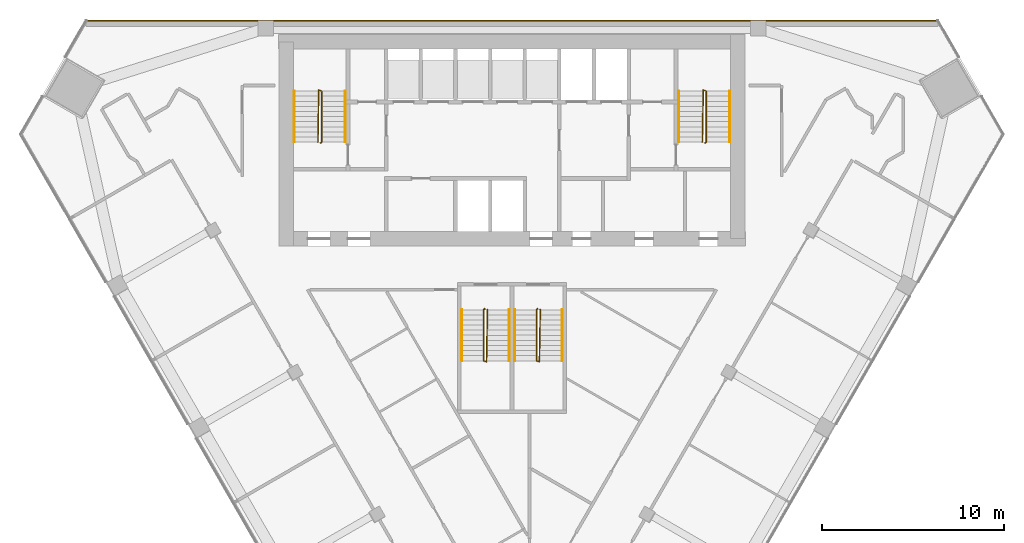
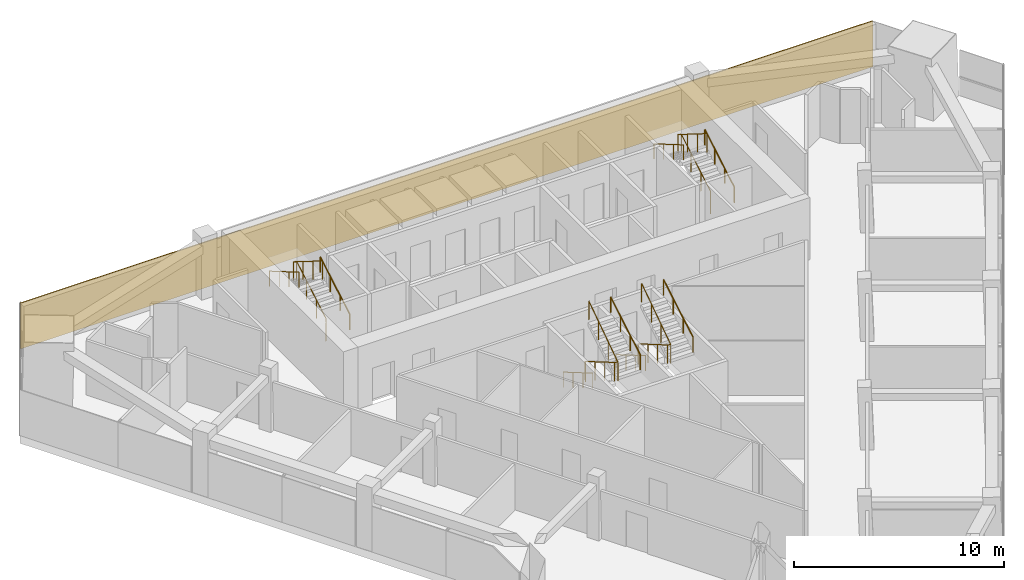
# One storey, part 12 of 13: 12 railings, 1 covering.
"""IFC4 building model written with IfcOpenShell, lengths in metres."""

from ifc_helpers import new_model, si_unit, direction, frame, frame_2d, origin, origin_2d, place, context, subcontext, project, spatial, rectangle, circle, extrude, material, layer, layer_set, type_object, element, save


model = new_model("IFC4")

# Units and contexts
model_context = context("Model", 3, precision=1e-05, world=origin(), true_north=direction((0.0, 1.0)))
body_context = subcontext(model_context, "Body", "Model", "MODEL_VIEW")
ifc_project = project(units=[si_unit("LENGTHUNIT", "METRE"), si_unit("AREAUNIT", "SQUARE_METRE"), si_unit("VOLUMEUNIT", "CUBIC_METRE"), si_unit("PLANEANGLEUNIT", "RADIAN"), si_unit("MASSUNIT", "GRAM", prefix="KILO")], contexts=[model_context])

# Site, building, storey
site_placement = place(None, origin())
site = spatial("IfcSite", under=ifc_project, at=site_placement, CompositionType="ELEMENT")
building_placement = place(site_placement, origin())
building = spatial("IfcBuilding", under=site, at=building_placement, Name="Altiplano Prism Tower", CompositionType="ELEMENT")
storey_placement = place(building_placement, frame((0.0, 0.0, 156.60009765625)))
storey = spatial("IfcBuildingStorey", under=building, at=storey_placement, Name="L40", CompositionType="ELEMENT", Elevation=156.60009765625)

# Railings
ifc_material_1 = material(Name="Steel S355", Category="steel")
railing_type_1 = type_object("IfcRailingType", Name="Stair guard 1100", PredefinedType="GUARDRAIL", material=ifc_material_1)
railing_1_placement = place(storey_placement, frame((74.5, 98.25, 0.0)))
element("IfcRailing", 1, at=railing_1_placement, inside=storey, type_object=railing_type_1, Name="L40 ST1 stair guard 1", PredefinedType="GUARDRAIL", context=body_context, shape_type="SweptSolid", body=[
    extrude(circle(Radius=0.02392578125, at=origin_2d()), frame((0.0, 0.0, 1.076171875), z_axis=(0.280808744504, 0.280808744504, 0.917765164963), x_axis=(-0.707106781187, 0.707106781187, 0.0)), (0.0, 0.0, 1.0), 0.17822265625),
    extrude(circle(Radius=0.02392578125, at=origin_2d()), frame((0.050048828125, 0.050048828125, 1.23974609375), z_axis=(0.0, 0.863393664356, 0.504530851732), x_axis=(-1.0, 0.0, 0.0)), (0.0, 0.0, 1.0), 3.2431640625),
    extrude(circle(Radius=0.02392578125, at=origin_2d()), frame((0.050048828125, 2.85009765625, 2.8759765625), z_axis=(-0.949145278916, 0.314838433982, 0.0), x_axis=(-0.314838433982, -0.949145278916, 0.0)), (0.0, 0.0, 1.0), 0.158203125),
    extrude(circle(Radius=0.02392578125, at=origin_2d()), frame((-0.10009765625, 2.89990234375, 2.8759765625), z_axis=(-0.01477401265, -0.845377694409, 0.533964682676), x_axis=(0.999847325713, -0.01747355902, 0.0)), (0.0, 0.0, 1.0), 3.37109375),
    extrude(circle(Radius=0.02099609375, at=origin_2d()), origin(), (0.0, 0.0, 1.0), 1.052001953125),
    extrude(circle(Radius=0.02099609375, at=origin_2d()), frame((0.050048828125, 0.050048828125, 0.16357421875)), (0.0, 0.0, 1.0), 1.052001953125),
    extrude(circle(Radius=0.02099609375, at=origin_2d()), frame((0.050048828125, 0.9833984375, 0.708984375)), (0.0, 0.0, 1.0), 1.052001953125),
    extrude(circle(Radius=0.02099609375, at=origin_2d()), frame((0.050048828125, 1.916748046875, 1.25439453125)), (0.0, 0.0, 1.0), 1.052001953125),
    extrude(circle(Radius=0.02099609375, at=origin_2d()), frame((0.050048828125, 2.85009765625, 1.7998046875)), (0.0, 0.0, 1.0), 1.052001953125),
    extrude(circle(Radius=0.02099609375, at=origin_2d()), frame((-0.10009765625, 2.89990234375, 1.7998046875)), (0.0, 0.0, 1.0), 1.052001953125),
    extrude(circle(Radius=0.02099609375, at=origin_2d()), frame((-0.11669921875, 1.949951171875, 2.39990234375)), (0.0, 0.0, 1.0), 1.052001953125),
    extrude(circle(Radius=0.02099609375, at=origin_2d()), frame((-0.13330078125, 1.0, 2.999755859375)), (0.0, 0.0, 1.0), 1.052001953125),
    extrude(circle(Radius=0.02099609375, at=origin_2d()), frame((-0.14990234375, 0.050048828125, 3.599853515625)), (0.0, 0.0, 1.0), 1.052001953125),
])
railing_2_placement = place(storey_placement, frame((95.60009765625, 98.25, 0.0)))
element("IfcRailing", 2, at=railing_2_placement, inside=storey, type_object=railing_type_1, Name="L40 ST2 stair guard 1", PredefinedType="GUARDRAIL", context=body_context, shape_type="SweptSolid", body=[
    extrude(circle(Radius=0.02392578125, at=origin_2d()), frame((0.0, 0.0, 1.076171875), z_axis=(0.279546231943, 0.280916556609, 0.91811752648), x_axis=(-0.708833529934, 0.705375805398, 0.0)), (0.0, 0.0, 1.0), 0.17822265625),
    extrude(circle(Radius=0.02392578125, at=origin_2d()), frame((0.0498046875, 0.050048828125, 1.23974609375), z_axis=(0.0, 0.863393664356, 0.504530851732), x_axis=(-1.0, 0.0, 0.0)), (0.0, 0.0, 1.0), 3.2431640625),
    extrude(circle(Radius=0.02392578125, at=origin_2d()), frame((0.0498046875, 2.85009765625, 2.8759765625), z_axis=(-0.948991962702, 0.315300261223, 0.0), x_axis=(-0.315300261223, -0.948991962702, 0.0)), (0.0, 0.0, 1.0), 0.157958984375),
    extrude(circle(Radius=0.02392578125, at=origin_2d()), frame((-0.10009765625, 2.89990234375, 2.8759765625), z_axis=(-0.014846418356, -0.845376787675, 0.533964109957), x_axis=(0.999845825584, -0.017559187376, 0.0)), (0.0, 0.0, 1.0), 3.37109375),
    extrude(circle(Radius=0.02099609375, at=origin_2d()), origin(), (0.0, 0.0, 1.0), 1.052001953125),
    extrude(circle(Radius=0.02099609375, at=origin_2d()), frame((0.0498046875, 0.050048828125, 0.16357421875)), (0.0, 0.0, 1.0), 1.052001953125),
    extrude(circle(Radius=0.02099609375, at=origin_2d()), frame((0.0498046875, 0.9833984375, 0.708984375)), (0.0, 0.0, 1.0), 1.052001953125),
    extrude(circle(Radius=0.02099609375, at=origin_2d()), frame((0.0498046875, 1.916748046875, 1.25439453125)), (0.0, 0.0, 1.0), 1.052001953125),
    extrude(circle(Radius=0.02099609375, at=origin_2d()), frame((0.0498046875, 2.85009765625, 1.7998046875)), (0.0, 0.0, 1.0), 1.052001953125),
    extrude(circle(Radius=0.02099609375, at=origin_2d()), frame((-0.10009765625, 2.89990234375, 1.7998046875)), (0.0, 0.0, 1.0), 1.052001953125),
    extrude(circle(Radius=0.02099609375, at=origin_2d()), frame((-0.11669921875, 1.949951171875, 2.39990234375)), (0.0, 0.0, 1.0), 1.052001953125),
    extrude(circle(Radius=0.02099609375, at=origin_2d()), frame((-0.133544921875, 1.0, 2.999755859375)), (0.0, 0.0, 1.0), 1.052001953125),
    extrude(circle(Radius=0.02099609375, at=origin_2d()), frame((-0.150146484375, 0.050048828125, 3.599853515625)), (0.0, 0.0, 1.0), 1.052001953125),
])
railing_3_placement = place(storey_placement, frame((83.5, 89.14990234375, 0.0)))
element("IfcRailing", 3, at=railing_3_placement, inside=storey, type_object=railing_type_1, Name="L40 ST3A stair guard 1", PredefinedType="GUARDRAIL", context=body_context, shape_type="SweptSolid", body=[
    extrude(circle(Radius=0.02392578125, at=origin_2d()), frame((0.0, 0.0, 1.076171875), z_axis=(-0.280916556609, -0.279546231943, 0.91811752648), x_axis=(0.705375805398, -0.708833529934, 0.0)), (0.0, 0.0, 1.0), 0.17822265625),
    extrude(circle(Radius=0.02392578125, at=origin_2d()), frame((-0.050048828125, -0.0498046875, 1.23974609375), z_axis=(0.0, -0.863393664356, 0.504530851732), x_axis=(1.0, 0.0, 0.0)), (0.0, 0.0, 1.0), 3.2431640625),
    extrude(circle(Radius=0.02392578125, at=origin_2d()), frame((-0.050048828125, -2.849853515625, 2.8759765625), z_axis=(0.948683298051, -0.316227766017, 0.0), x_axis=(0.316227766017, 0.948683298051, 0.0)), (0.0, 0.0, 1.0), 0.158203125),
    extrude(circle(Radius=0.02392578125, at=origin_2d()), frame((0.10009765625, -2.89990234375, 2.8759765625), z_axis=(0.014773108175, 0.84539835705, 0.533931993021), x_axis=(-0.999847351862, 0.017472062685, 0.0)), (0.0, 0.0, 1.0), 3.371337890625),
    extrude(circle(Radius=0.02099609375, at=origin_2d()), origin(), (0.0, 0.0, 1.0), 1.052001953125),
    extrude(circle(Radius=0.02099609375, at=origin_2d()), frame((-0.050048828125, -0.0498046875, 0.16357421875)), (0.0, 0.0, 1.0), 1.052001953125),
    extrude(circle(Radius=0.02099609375, at=origin_2d()), frame((-0.050048828125, -0.983154296875, 0.708984375)), (0.0, 0.0, 1.0), 1.052001953125),
    extrude(circle(Radius=0.02099609375, at=origin_2d()), frame((-0.050048828125, -1.91650390625, 1.25439453125)), (0.0, 0.0, 1.0), 1.052001953125),
    extrude(circle(Radius=0.02099609375, at=origin_2d()), frame((-0.050048828125, -2.849853515625, 1.7998046875)), (0.0, 0.0, 1.0), 1.052001953125),
    extrude(circle(Radius=0.02099609375, at=origin_2d()), frame((0.10009765625, -2.89990234375, 1.7998046875)), (0.0, 0.0, 1.0), 1.052001953125),
    extrude(circle(Radius=0.02099609375, at=origin_2d()), frame((0.11669921875, -1.949951171875, 2.39990234375)), (0.0, 0.0, 1.0), 1.052001953125),
    extrude(circle(Radius=0.02099609375, at=origin_2d()), frame((0.13330078125, -0.999755859375, 2.999755859375)), (0.0, 0.0, 1.0), 1.052001953125),
    extrude(circle(Radius=0.02099609375, at=origin_2d()), frame((0.14990234375, -0.0498046875, 3.599853515625)), (0.0, 0.0, 1.0), 1.052001953125),
])
railing_4_placement = place(storey_placement, frame((86.39990234375, 89.14990234375, 0.0)))
element("IfcRailing", 4, at=railing_4_placement, inside=storey, type_object=railing_type_1, Name="L40 ST3B stair guard 1", PredefinedType="GUARDRAIL", context=body_context, shape_type="SweptSolid", body=[
    extrude(circle(Radius=0.02392578125, at=origin_2d()), frame((0.0, 0.0, 1.076171875), z_axis=(-0.279653641804, -0.279653641804, 0.918470294159), x_axis=(0.707106781187, -0.707106781187, 0.0)), (0.0, 0.0, 1.0), 0.177978515625),
    extrude(circle(Radius=0.02392578125, at=origin_2d()), frame((-0.0498046875, -0.0498046875, 1.23974609375), z_axis=(0.0, -0.863393664356, 0.504530851732), x_axis=(1.0, 0.0, 0.0)), (0.0, 0.0, 1.0), 3.2431640625),
    extrude(circle(Radius=0.02392578125, at=origin_2d()), frame((-0.0498046875, -2.849853515625, 2.8759765625), z_axis=(0.948528701346, -0.316691178788, 0.0), x_axis=(0.316691178788, 0.948528701346, 0.0)), (0.0, 0.0, 1.0), 0.157958984375),
    extrude(circle(Radius=0.02392578125, at=origin_2d()), frame((0.10009765625, -2.89990234375, 2.8759765625), z_axis=(0.014845509451, 0.845397450405, 0.533931420407), x_axis=(-0.999845851991, 0.017557683712, 0.0)), (0.0, 0.0, 1.0), 3.371337890625),
    extrude(circle(Radius=0.02099609375, at=origin_2d()), origin(), (0.0, 0.0, 1.0), 1.052001953125),
    extrude(circle(Radius=0.02099609375, at=origin_2d()), frame((-0.0498046875, -0.0498046875, 0.16357421875)), (0.0, 0.0, 1.0), 1.052001953125),
    extrude(circle(Radius=0.02099609375, at=origin_2d()), frame((-0.0498046875, -0.983154296875, 0.708984375)), (0.0, 0.0, 1.0), 1.052001953125),
    extrude(circle(Radius=0.02099609375, at=origin_2d()), frame((-0.0498046875, -1.91650390625, 1.25439453125)), (0.0, 0.0, 1.0), 1.052001953125),
    extrude(circle(Radius=0.02099609375, at=origin_2d()), frame((-0.0498046875, -2.849853515625, 1.7998046875)), (0.0, 0.0, 1.0), 1.052001953125),
    extrude(circle(Radius=0.02099609375, at=origin_2d()), frame((0.10009765625, -2.89990234375, 1.7998046875)), (0.0, 0.0, 1.0), 1.052001953125),
    extrude(circle(Radius=0.02099609375, at=origin_2d()), frame((0.11669921875, -1.949951171875, 2.39990234375)), (0.0, 0.0, 1.0), 1.052001953125),
    extrude(circle(Radius=0.02099609375, at=origin_2d()), frame((0.133544921875, -0.999755859375, 2.999755859375)), (0.0, 0.0, 1.0), 1.052001953125),
    extrude(circle(Radius=0.02099609375, at=origin_2d()), frame((0.150146484375, -0.0498046875, 3.599853515625)), (0.0, 0.0, 1.0), 1.052001953125),
])
railing_type_2 = type_object("IfcRailingType", Name="Stair handrail 900", PredefinedType="HANDRAIL", material=ifc_material_1)
railing_5_placement = place(storey_placement, frame((75.85009765625, 98.300048828125, 0.16357421875)))
element("IfcRailing", 5, at=railing_5_placement, inside=storey, type_object=railing_type_2, Name="L40 ST1 stair handrail 1", PredefinedType="HANDRAIL", context=body_context, shape_type="SweptSolid", body=[
    extrude(circle(Radius=0.02392578125, at=origin_2d()), frame((0.0, 0.0, 0.8759765625), z_axis=(0.0, 0.863393664356, 0.504530851732), x_axis=(-1.0, 0.0, 0.0)), (0.0, 0.0, 1.0), 3.2431640625),
    extrude(circle(Radius=0.02099609375, at=origin_2d()), origin(), (0.0, 0.0, 1.0), 0.851806640625),
    extrude(circle(Radius=0.02099609375, at=origin_2d()), frame((0.0, 0.933349609375, 0.54541015625)), (0.0, 0.0, 1.0), 0.851806640625),
    extrude(circle(Radius=0.02099609375, at=origin_2d()), frame((0.0, 1.86669921875, 1.0908203125)), (0.0, 0.0, 1.0), 0.851806640625),
    extrude(circle(Radius=0.02099609375, at=origin_2d()), frame((0.0, 2.800048828125, 1.63623046875)), (0.0, 0.0, 1.0), 0.851806640625),
])
railing_6_placement = place(storey_placement, frame((73.050048828125, 101.10009765625, 1.963623046875)))
element("IfcRailing", 6, at=railing_6_placement, inside=storey, type_object=railing_type_2, Name="L40 ST1 stair handrail 2", PredefinedType="HANDRAIL", context=body_context, shape_type="SweptSolid", body=[
    extrude(circle(Radius=0.02392578125, at=origin_2d()), frame((0.0, 0.0, 0.8759765625), z_axis=(0.0, -0.863393664356, 0.504530851732), x_axis=(1.0, 0.0, 0.0)), (0.0, 0.0, 1.0), 3.2431640625),
    extrude(circle(Radius=0.02099609375, at=origin_2d()), origin(), (0.0, 0.0, 1.0), 0.851806640625),
    extrude(circle(Radius=0.02099609375, at=origin_2d()), frame((0.0, -0.933349609375, 0.54541015625)), (0.0, 0.0, 1.0), 0.851806640625),
    extrude(circle(Radius=0.02099609375, at=origin_2d()), frame((0.0, -1.86669921875, 1.0908203125)), (0.0, 0.0, 1.0), 0.851806640625),
    extrude(circle(Radius=0.02099609375, at=origin_2d()), frame((0.0, -2.800048828125, 1.63623046875)), (0.0, 0.0, 1.0), 0.851806640625),
])
railing_7_placement = place(storey_placement, frame((96.949951171875, 98.300048828125, 0.16357421875)))
element("IfcRailing", 7, at=railing_7_placement, inside=storey, type_object=railing_type_2, Name="L40 ST2 stair handrail 1", PredefinedType="HANDRAIL", context=body_context, shape_type="SweptSolid", body=[
    extrude(circle(Radius=0.02392578125, at=origin_2d()), frame((0.0, 0.0, 0.8759765625), z_axis=(0.0, 0.863393664356, 0.504530851732), x_axis=(-1.0, 0.0, 0.0)), (0.0, 0.0, 1.0), 3.2431640625),
    extrude(circle(Radius=0.02099609375, at=origin_2d()), origin(), (0.0, 0.0, 1.0), 0.851806640625),
    extrude(circle(Radius=0.02099609375, at=origin_2d()), frame((0.0, 0.933349609375, 0.54541015625)), (0.0, 0.0, 1.0), 0.851806640625),
    extrude(circle(Radius=0.02099609375, at=origin_2d()), frame((0.0, 1.86669921875, 1.0908203125)), (0.0, 0.0, 1.0), 0.851806640625),
    extrude(circle(Radius=0.02099609375, at=origin_2d()), frame((0.0, 2.800048828125, 1.63623046875)), (0.0, 0.0, 1.0), 0.851806640625),
])
for number, where, name in (
    (8, (94.14990234375, 101.10009765625, 1.963623046875), "L40 ST2 stair handrail 2"),
    (9, (82.25, 89.10009765625, 0.16357421875), "L40 ST3A stair handrail 1"),
):
    element("IfcRailing", number, at=place(storey_placement, frame(where)), inside=storey, type_object=railing_type_2, Name=name, PredefinedType="HANDRAIL", context=body_context, shape_type="SweptSolid", body=[
        extrude(circle(Radius=0.02392578125, at=origin_2d()), frame((0.0, 0.0, 0.8759765625), z_axis=(0.0, -0.863393664356, 0.504530851732), x_axis=(1.0, 0.0, 0.0)), (0.0, 0.0, 1.0), 3.2431640625),
        extrude(circle(Radius=0.02099609375, at=origin_2d()), origin(), (0.0, 0.0, 1.0), 0.851806640625),
        extrude(circle(Radius=0.02099609375, at=origin_2d()), frame((0.0, -0.933349609375, 0.54541015625)), (0.0, 0.0, 1.0), 0.851806640625),
        extrude(circle(Radius=0.02099609375, at=origin_2d()), frame((0.0, -1.86669921875, 1.0908203125)), (0.0, 0.0, 1.0), 0.851806640625),
        extrude(circle(Radius=0.02099609375, at=origin_2d()), frame((0.0, -2.800048828125, 1.63623046875)), (0.0, 0.0, 1.0), 0.851806640625),
    ])
railing_8_placement = place(storey_placement, frame((84.85009765625, 86.300048828125, 1.963623046875)))
element("IfcRailing", 10, at=railing_8_placement, inside=storey, type_object=railing_type_2, Name="L40 ST3A stair handrail 2", PredefinedType="HANDRAIL", context=body_context, shape_type="SweptSolid", body=[
    extrude(circle(Radius=0.02392578125, at=origin_2d()), frame((0.0, 0.0, 0.8759765625), z_axis=(0.0, 0.863393664356, 0.504530851732), x_axis=(-1.0, 0.0, 0.0)), (0.0, 0.0, 1.0), 3.2431640625),
    extrude(circle(Radius=0.02099609375, at=origin_2d()), origin(), (0.0, 0.0, 1.0), 0.851806640625),
    extrude(circle(Radius=0.02099609375, at=origin_2d()), frame((0.0, 0.933349609375, 0.54541015625)), (0.0, 0.0, 1.0), 0.851806640625),
    extrude(circle(Radius=0.02099609375, at=origin_2d()), frame((0.0, 1.86669921875, 1.0908203125)), (0.0, 0.0, 1.0), 0.851806640625),
    extrude(circle(Radius=0.02099609375, at=origin_2d()), frame((0.0, 2.800048828125, 1.63623046875)), (0.0, 0.0, 1.0), 0.851806640625),
])
railing_9_placement = place(storey_placement, frame((85.14990234375, 89.10009765625, 0.16357421875)))
element("IfcRailing", 11, at=railing_9_placement, inside=storey, type_object=railing_type_2, Name="L40 ST3B stair handrail 1", PredefinedType="HANDRAIL", context=body_context, shape_type="SweptSolid", body=[
    extrude(circle(Radius=0.02392578125, at=origin_2d()), frame((0.0, 0.0, 0.8759765625), z_axis=(0.0, -0.863393664356, 0.504530851732), x_axis=(1.0, 0.0, 0.0)), (0.0, 0.0, 1.0), 3.2431640625),
    extrude(circle(Radius=0.02099609375, at=origin_2d()), origin(), (0.0, 0.0, 1.0), 0.851806640625),
    extrude(circle(Radius=0.02099609375, at=origin_2d()), frame((0.0, -0.933349609375, 0.54541015625)), (0.0, 0.0, 1.0), 0.851806640625),
    extrude(circle(Radius=0.02099609375, at=origin_2d()), frame((0.0, -1.86669921875, 1.0908203125)), (0.0, 0.0, 1.0), 0.851806640625),
    extrude(circle(Radius=0.02099609375, at=origin_2d()), frame((0.0, -2.800048828125, 1.63623046875)), (0.0, 0.0, 1.0), 0.851806640625),
])
railing_10_placement = place(storey_placement, frame((87.75, 86.300048828125, 1.963623046875)))
element("IfcRailing", 12, at=railing_10_placement, inside=storey, type_object=railing_type_2, Name="L40 ST3B stair handrail 2", PredefinedType="HANDRAIL", context=body_context, shape_type="SweptSolid", body=[
    extrude(circle(Radius=0.02392578125, at=origin_2d()), frame((0.0, 0.0, 0.8759765625), z_axis=(0.0, 0.863393664356, 0.504530851732), x_axis=(-1.0, 0.0, 0.0)), (0.0, 0.0, 1.0), 3.2431640625),
    extrude(circle(Radius=0.02099609375, at=origin_2d()), origin(), (0.0, 0.0, 1.0), 0.851806640625),
    extrude(circle(Radius=0.02099609375, at=origin_2d()), frame((0.0, 0.933349609375, 0.54541015625)), (0.0, 0.0, 1.0), 0.851806640625),
    extrude(circle(Radius=0.02099609375, at=origin_2d()), frame((0.0, 1.86669921875, 1.0908203125)), (0.0, 0.0, 1.0), 0.851806640625),
    extrude(circle(Radius=0.02099609375, at=origin_2d()), frame((0.0, 2.800048828125, 1.63623046875)), (0.0, 0.0, 1.0), 0.851806640625),
])

# Covering
ifc_material_2 = material(Name="Warm limestone cast stone", Category="masonry")
ifc_layer = layer(ifc_material_2, 0.06005859375)
ifc_layer_set = layer_set([ifc_layer], Name="Warm limestone cast stone")
covering_type = type_object("IfcCoveringType", Name="Stone cladding 60", PredefinedType="CLADDING", material=ifc_layer_set)
covering_placement = place(storey_placement, frame((61.615234375, 104.969970703125, 0.0), z_axis=(0.0, 0.0, 1.0), x_axis=(1.0, 0.0, 0.0)))
element("IfcCovering", 13, at=covering_placement, inside=storey, type_object=covering_type, Name="Stone cladding north face L40", PredefinedType="CLADDING", context=body_context, shape_type="SweptSolid", body=[
    extrude(rectangle(XDim=46.76953125, YDim=0.06005859375, at=frame_2d((23.384765625, 0.0))), origin(), (0.0, 0.0, 1.0), 2.64990234375),
])

save(model, "model.ifc")
